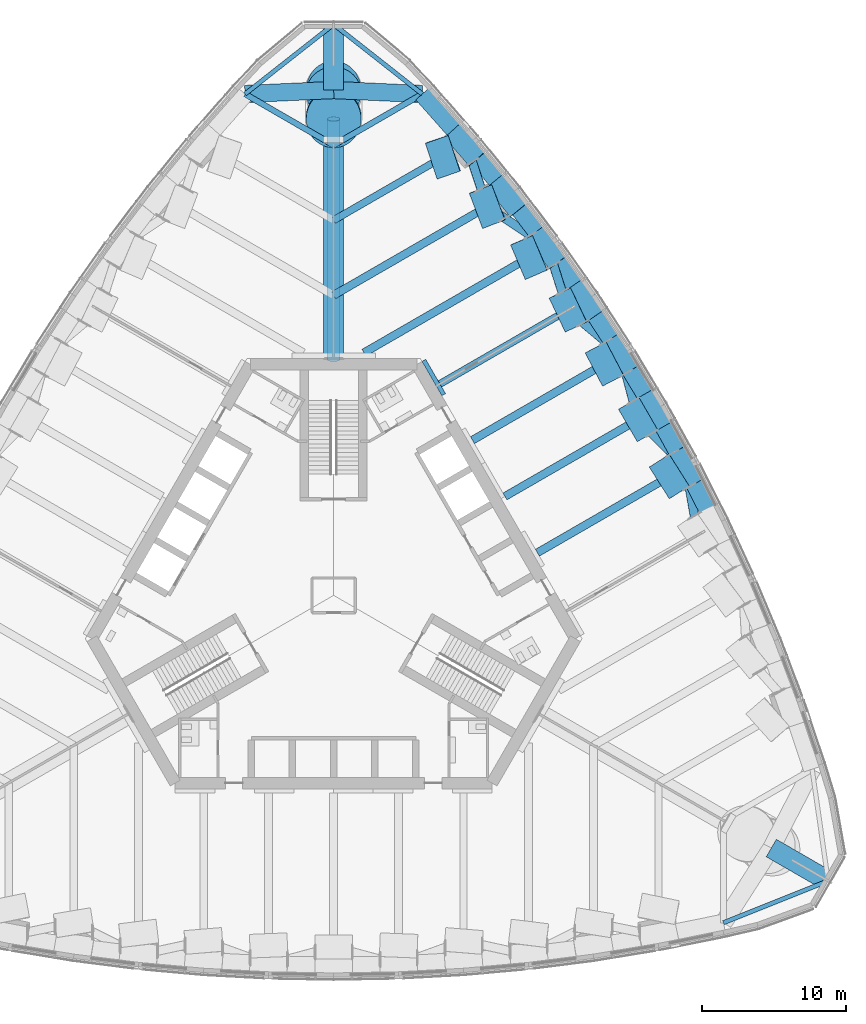
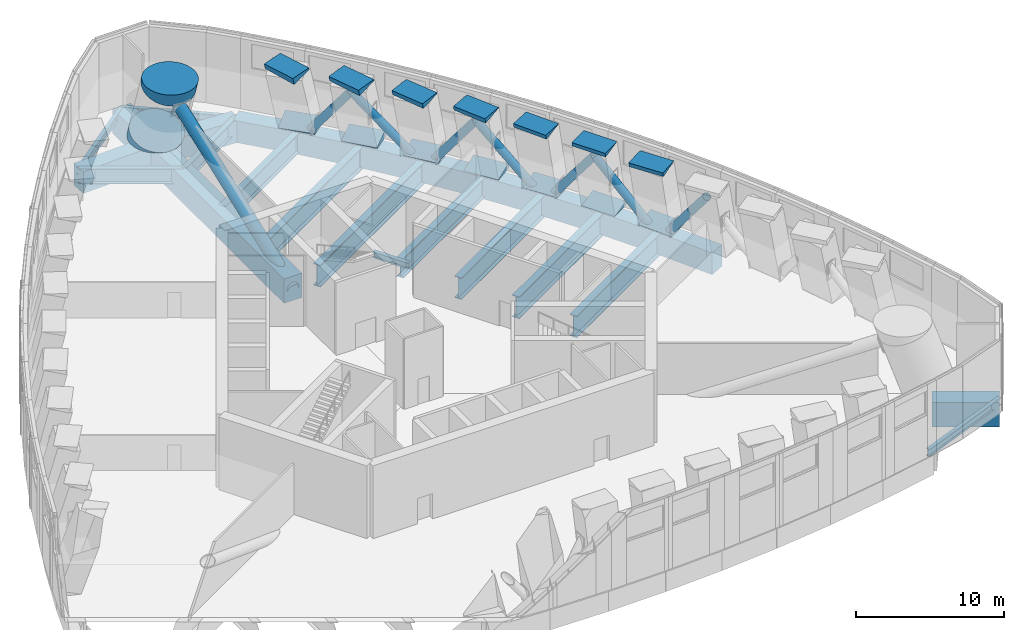
# One storey, part 5 of 25: 26 beams, 24 members.
"""IFC4 building model written with IfcOpenShell, lengths in metres."""

from ifc_helpers import new_model, si_unit, direction, frame, origin, origin_2d, place, context, subcontext, project, spatial, rectangle, circle, hollow_circle, i_section, extrude, clip, halfspace, material, material_profile, profile_set, type_object, element, save


model = new_model("IFC4")

# Units and contexts
model_context = context("Model", 3, precision=1e-05, world=origin(), true_north=direction((0.0, 1.0)))
body_context = subcontext(model_context, "Body", "Model", "MODEL_VIEW")
ifc_project = project(units=[si_unit("LENGTHUNIT", "METRE"), si_unit("AREAUNIT", "SQUARE_METRE"), si_unit("VOLUMEUNIT", "CUBIC_METRE"), si_unit("PLANEANGLEUNIT", "RADIAN"), si_unit("MASSUNIT", "GRAM", prefix="KILO")], contexts=[model_context])

# Site, building, storey
site_placement = place(None, origin())
site = spatial("IfcSite", under=ifc_project, at=site_placement, CompositionType="ELEMENT")
building_placement = place(site_placement, origin())
building = spatial("IfcBuilding", under=site, at=building_placement, Name="Trefoil Bronze Tower", CompositionType="ELEMENT")
storey_placement = place(building_placement, frame((0.0, 0.0, 178.699951171875)))
storey = spatial("IfcBuildingStorey", under=building, at=storey_placement, Name="L41", CompositionType="ELEMENT", Elevation=178.699951171875)

# Members
ifc_material_1 = material(Name="Steel C355", Category="steel")
ifc_material_profile_1 = material_profile(ifc_material_1, hollow_circle(Radius=0.304931640625, WallThickness=0.02490234375, at=origin_2d()), Name="CHS 610x25")
ifc_profile_set_1 = profile_set([ifc_material_profile_1], Name="Steel C355")
member_type_1 = type_object("IfcMemberType", Name="Belt truss diagonal CHS 610x25", PredefinedType="BRACE", material=ifc_profile_set_1)
member_1_placement = place(storey_placement, frame((24.392578125, 8.886962890625, -1.14990234375), z_axis=(0.10809467692, -0.611070347193, 0.784161062285), x_axis=(0.984712120824, 0.174189664167, 0.0)))
element("IfcMember", 1, at=member_1_placement, inside=storey, type_object=member_type_1, Name="Belt truss diagonal F2.4 L41", PredefinedType="BRACE", context=body_context, shape_type="SweptSolid", body=[
    extrude(hollow_circle(Radius=0.304931640625, WallThickness=0.02490234375, at=origin_2d()), origin(), (0.0, 0.0, 1.0), 7.71533203125),
])
for number, where, z_axis, x_axis, name in (
    (2, (24.392578125, 8.886962890625, -1.14990234375), (-0.432618987255, 0.430541239791, 0.792133229139), (-0.705402632544, -0.708806832642, 0.0), "Belt truss diagonal F2.5 L41"),
    (3, (19.892578125, 16.68115234375, -1.14990234375), (0.156563765296, -0.589943007821, 0.792120593672), (0.966541951923, 0.256508586938, 0.0), "Belt truss diagonal F2.6 L41"),
):
    element("IfcMember", number, at=place(storey_placement, frame(where, z_axis=z_axis, x_axis=x_axis)), inside=storey, type_object=member_type_1, Name=name, PredefinedType="BRACE", context=body_context, shape_type="SweptSolid", body=[
        extrude(hollow_circle(Radius=0.304931640625, WallThickness=0.02490234375, at=origin_2d()), origin(), (0.0, 0.0, 1.0), 7.6376953125),
    ])
member_2_placement = place(storey_placement, frame((19.892578125, 16.68115234375, -1.14990234375), z_axis=(-0.475158655992, 0.399150991388, 0.784157342444), x_axis=(-0.643208828373, -0.76569080124, 0.0)))
element("IfcMember", 4, at=member_2_placement, inside=storey, type_object=member_type_1, Name="Belt truss diagonal F2.7 L41", PredefinedType="BRACE", context=body_context, shape_type="SweptSolid", body=[
    extrude(hollow_circle(Radius=0.304931640625, WallThickness=0.02490234375, at=origin_2d()), origin(), (0.0, 0.0, 1.0), 7.71533203125),
])
member_3_placement = place(storey_placement, frame((14.825439453125, 24.14794921875, -1.14990234375), z_axis=(0.184272460888, -0.576995316633, 0.795688421897), x_axis=(0.952599408935, 0.3042274907, 0.0)))
element("IfcMember", 5, at=member_3_placement, inside=storey, type_object=member_type_1, Name="Belt truss diagonal F2.8 L41", PredefinedType="BRACE", context=body_context, shape_type="SweptSolid", body=[
    extrude(hollow_circle(Radius=0.304931640625, WallThickness=0.02490234375, at=origin_2d()), origin(), (0.0, 0.0, 1.0), 7.603515625),
])
member_4_placement = place(storey_placement, frame((14.825439453125, 24.14794921875, -1.14990234375), z_axis=(-0.533035435928, 0.352760468106, 0.769046992183), x_axis=(-0.551884776198, -0.833920376175, 0.0)))
element("IfcMember", 6, at=member_4_placement, inside=storey, type_object=member_type_1, Name="Belt truss diagonal F2.9 L41", PredefinedType="BRACE", context=body_context, shape_type="SweptSolid", body=[
    extrude(hollow_circle(Radius=0.304931640625, WallThickness=0.02490234375, at=origin_2d()), origin(), (0.0, 0.0, 1.0), 7.866943359375),
])
member_5_placement = place(storey_placement, frame((9.181884765625, 31.281982421875, -1.14990234375), z_axis=(0.190904348279, -0.573805763328, 0.796431086649), x_axis=(0.948863838651, 0.315685627959, 0.0)))
element("IfcMember", 7, at=member_5_placement, inside=storey, type_object=member_type_1, Name="Belt truss diagonal F2.10 L41", PredefinedType="BRACE", context=body_context, shape_type="SweptSolid", body=[
    extrude(hollow_circle(Radius=0.304931640625, WallThickness=0.02490234375, at=origin_2d()), origin(), (0.0, 0.0, 1.0), 7.596435546875),
])
ifc_material_2 = material(Name="Concrete B80", Category="concrete")
ifc_material_profile_2 = material_profile(ifc_material_2, rectangle(XDim=2.60009765625, YDim=1.60009765625, at=origin_2d()), Name="RC 2600x1600")
ifc_profile_set_2 = profile_set([ifc_material_profile_2], Name="Concrete B80")
member_type_2 = type_object("IfcMemberType", Name="Column node RC 2600x1600", PredefinedType="MEMBER", material=ifc_profile_set_2)
member_6_placement = place(storey_placement, frame((22.2451171875, 12.84326171875, -0.170166015625), z_axis=(-0.182873443531, -0.105800344725, 0.977427025771), x_axis=(-0.500774789596, 0.865577616454, 0.0)))
element("IfcMember", 8, at=member_6_placement, inside=storey, type_object=member_type_2, Name="Column node TC2616 L41 bottom", PredefinedType="MEMBER", context=body_context, shape_type="Clipping", body=[
    clip(extrude(rectangle(XDim=2.60009765625, YDim=1.60009765625, at=origin_2d()), origin(), (0.0, 0.0, 1.0), 0.348388671875), halfspace(frame((0.0, 0.0, 0.174072265625), z_axis=(-2.5873517638691127e-17, -0.21127330473329353, 0.9774270257707595), x_axis=(0.0, 0.9774270257707595, 0.21127330473329353)), True)),
])
member_7_placement = place(storey_placement, frame((21.056396484375, 12.156982421875, 6.17041015625), z_axis=(0.182873443531, 0.105800344725, -0.977427025771), x_axis=(0.500774789596, -0.865577616454, 0.0)))
element("IfcMember", 9, at=member_7_placement, inside=storey, type_object=member_type_2, Name="Column node TC2616 L41 top", PredefinedType="MEMBER", context=body_context, shape_type="Clipping", body=[
    clip(extrude(rectangle(XDim=2.60009765625, YDim=1.60009765625, at=origin_2d()), origin(), (0.0, 0.0, 1.0), 0.348388671875), halfspace(frame((0.0, 0.0, 0.17431640625), z_axis=(2.5873517638691127e-17, 0.21127330473329356, 0.9774270257707595), x_axis=(0.0, 0.9774270257707595, -0.21127330473329356)), True)),
])
member_8_placement = place(storey_placement, frame((19.927734375, 16.701416015625, -0.18408203125), z_axis=(-0.186503933671, -0.107498795102, 0.976555319363), x_axis=(-0.532854629206, 0.846162891062, -0.008620088392)))
element("IfcMember", 10, at=member_8_placement, inside=storey, type_object=member_type_2, Name="Column node TC2616 L41 bottom", PredefinedType="MEMBER", context=body_context, shape_type="Clipping", body=[
    clip(extrude(rectangle(XDim=2.60009765625, YDim=1.60009765625, at=origin_2d()), origin(), (0.0, 0.0, 1.0), 0.376953125), halfspace(frame((0.0, 0.0, 0.1884765625), z_axis=(-0.008620088391881024, -0.21509393831418464, 0.9765553193632248), x_axis=(0.0, 0.9765916033079357, 0.2151019301364713)), True)),
])
member_9_placement = place(storey_placement, frame((18.712890625, 16.0, 6.18408203125), z_axis=(0.186503933671, 0.107498795102, -0.976555319363), x_axis=(0.465094649677, -0.885218990373, -0.008620088392)))
element("IfcMember", 11, at=member_9_placement, inside=storey, type_object=member_type_2, Name="Column node TC2616 L41 top", PredefinedType="MEMBER", context=body_context, shape_type="Clipping", body=[
    clip(extrude(rectangle(XDim=2.60009765625, YDim=1.60009765625, at=origin_2d()), origin(), (0.0, 0.0, 1.0), 0.376953125), halfspace(frame((0.0, 0.0, 0.1884765625), z_axis=(0.008620088391881024, 0.21509393831418464, 0.9765553193632248), x_axis=(0.0, 0.9765916033079357, -0.2151019301364713)), True)),
])
member_10_placement = place(storey_placement, frame((17.47119140625, 20.479248046875, -0.204345703125), z_axis=(-0.195533724611, -0.112897448138, 0.974176949401), x_axis=(-0.565833684937, 0.824321988886, -0.0180416083)))
element("IfcMember", 12, at=member_10_placement, inside=storey, type_object=member_type_2, Name="Column node TC2616 L41 bottom", PredefinedType="MEMBER", context=body_context, shape_type="Clipping", body=[
    clip(extrude(rectangle(XDim=2.60009765625, YDim=1.60009765625, at=origin_2d()), origin(), (0.0, 0.0, 1.0), 0.41943359375), halfspace(frame((0.0, 0.0, 0.209716796875), z_axis=(-0.018041608300351265, -0.22506392786564816, 0.9741769494006841), x_axis=(0.0, 0.9743355352347802, 0.22510056592277677)), True)),
])
member_11_placement = place(storey_placement, frame((16.185546875, 19.737060546875, 6.204345703125), z_axis=(0.195533724611, 0.112897448138, -0.974176949401), x_axis=(0.431008462777, -0.902167504061, -0.0180416083)))
element("IfcMember", 13, at=member_11_placement, inside=storey, type_object=member_type_2, Name="Column node TC2616 L41 top", PredefinedType="MEMBER", context=body_context, shape_type="Clipping", body=[
    clip(extrude(rectangle(XDim=2.60009765625, YDim=1.60009765625, at=origin_2d()), origin(), (0.0, 0.0, 1.0), 0.41943359375), halfspace(frame((0.0, 0.0, 0.209716796875), z_axis=(0.018041608300351265, 0.22506392786564816, 0.9741769494006841), x_axis=(0.0, 0.9743355352347802, -0.22510056592277677)), True)),
])
member_12_placement = place(storey_placement, frame((14.875732421875, 24.177001953125, -0.23193359375), z_axis=(-0.210834703777, -0.121497964888, 0.969941736503), x_axis=(-0.596051663687, 0.802420441261, -0.02904909057)))
element("IfcMember", 14, at=member_12_placement, inside=storey, type_object=member_type_2, Name="Column node TC2616 L41 bottom", PredefinedType="MEMBER", context=body_context, shape_type="Clipping", body=[
    clip(extrude(rectangle(XDim=2.60009765625, YDim=1.60009765625, at=origin_2d()), origin(), (0.0, 0.0, 1.0), 0.478271484375), halfspace(frame((0.0, 0.0, 0.2392578125), z_axis=(-0.029049090569892723, -0.2415971401439186, 0.9699417365034572), x_axis=(0.0, 0.9703512381937962, 0.2416991405358459)), True)),
])
member_13_placement = place(storey_placement, frame((13.471923828125, 23.366455078125, 6.23193359375), z_axis=(0.210346821603, 0.121511028013, -0.970046021956), x_axis=(0.396356890633, -0.917638408501, -0.028999422254)))
element("IfcMember", 15, at=member_13_placement, inside=storey, type_object=member_type_2, Name="Column node TC2616 L41 top", PredefinedType="MEMBER", context=body_context, shape_type="Clipping", body=[
    clip(extrude(rectangle(XDim=2.60009765625, YDim=1.60009765625, at=origin_2d()), origin(), (0.0, 0.0, 1.0), 0.478271484375), halfspace(frame((0.0, 0.0, 0.239013671875), z_axis=(0.028999422254053667, 0.24118405585015695, 0.9700460219559686), x_axis=(0.0, 0.9704541675011918, -0.24128553371383155)), True)),
])
member_14_placement = place(storey_placement, frame((12.14111328125, 27.794189453125, -0.267578125), z_axis=(-0.232064418191, -0.134052362781, 0.963418948248), x_axis=(-0.625873295715, 0.778771501429, -0.04239771542)))
element("IfcMember", 16, at=member_14_placement, inside=storey, type_object=member_type_2, Name="Column node TC2616 L41 bottom", PredefinedType="MEMBER", context=body_context, shape_type="Clipping", body=[
    clip(extrude(rectangle(XDim=2.60009765625, YDim=1.60009765625, at=origin_2d()), origin(), (0.0, 0.0, 1.0), 0.555419921875), halfspace(frame((0.0, 0.0, 0.27783203125), z_axis=(-0.042397715420347565, -0.26462494947490023, 0.9634189482476155), x_axis=(0.0, 0.964286022093912, 0.2648631110485174)), True)),
])
member_15_placement = place(storey_placement, frame((10.567626953125, 26.8857421875, 6.267578125), z_axis=(0.2316485083, 0.134066024728, -0.963517135092), x_axis=(0.362671471183, -0.930954656734, -0.042341836218)))
element("IfcMember", 17, at=member_15_placement, inside=storey, type_object=member_type_2, Name="Column node TC2616 L41 top", PredefinedType="MEMBER", context=body_context, shape_type="Clipping", body=[
    clip(extrude(rectangle(XDim=2.60009765625, YDim=1.60009765625, at=origin_2d()), origin(), (0.0, 0.0, 1.0), 0.555419921875), halfspace(frame((0.0, 0.0, 0.277587890625), z_axis=(0.04234183621830575, 0.26427617995110836, 0.9635171350921122), x_axis=(0.0, 0.9643820099367588, -0.2645134002472032)), True)),
])
member_16_placement = place(storey_placement, frame((9.266357421875, 31.330810546875, -0.3115234375), z_axis=(-0.259099296461, -0.149926144128, 0.954143440936), x_axis=(-0.652079481765, 0.755905987834, -0.058296543786)))
element("IfcMember", 18, at=member_16_placement, inside=storey, type_object=member_type_2, Name="Column node TC2616 L41 bottom", PredefinedType="MEMBER", context=body_context, shape_type="Clipping", body=[
    clip(extrude(rectangle(XDim=2.60009765625, YDim=1.60009765625, at=origin_2d()), origin(), (0.0, 0.0, 1.0), 0.653076171875), halfspace(frame((0.0, 0.0, 0.326416015625), z_axis=(-0.05829654378581573, -0.29361847200462576, 0.9541434409355322), x_axis=(0.0, 0.9557689072538845, 0.29411867660302626)), True)),
])
member_17_placement = place(storey_placement, frame((7.46728515625, 30.2919921875, 6.3115234375), z_axis=(0.259113803248, 0.149560636795, -0.954196862753), x_axis=(0.329392938115, -0.942393586386, -0.058263373213)))
element("IfcMember", 19, at=member_17_placement, inside=storey, type_object=member_type_2, Name="Column node TC2616 L41 top", PredefinedType="MEMBER", context=body_context, shape_type="Clipping", body=[
    clip(extrude(rectangle(XDim=2.60009765625, YDim=1.60009765625, at=origin_2d()), origin(), (0.0, 0.0, 1.0), 0.653076171875), halfspace(frame((0.0, 0.0, 0.326416015625), z_axis=(0.058263373213412226, 0.29345140390500707, 0.9541968627531612), x_axis=(0.0, 0.9558205660081742, -0.2939507536915217)), True)),
])
member_18_placement = place(storey_placement, frame((24.427734375, 8.9072265625, -0.18408203125), z_axis=(-0.186503933671, -0.107498795102, 0.976555319363), x_axis=(-0.465094649677, 0.885218990373, 0.008620088392)))
element("IfcMember", 20, at=member_18_placement, inside=storey, type_object=member_type_2, Name="Column node TC2616 L41 bottom", PredefinedType="MEMBER", context=body_context, shape_type="Clipping", body=[
    clip(extrude(rectangle(XDim=2.60009765625, YDim=1.60009765625, at=origin_2d()), origin(), (0.0, 0.0, 1.0), 0.376953125), halfspace(frame((0.0, 0.0, 0.1884765625), z_axis=(0.008620088391881024, -0.21509393831418464, 0.9765553193632248), x_axis=(0.0, 0.9765916033079357, 0.2151019301364713)), True)),
])
member_19_placement = place(storey_placement, frame((23.212890625, 8.205810546875, 6.18408203125), z_axis=(0.186503933671, 0.107498795102, -0.976555319363), x_axis=(0.532854629206, -0.846162891062, 0.008620088392)))
element("IfcMember", 21, at=member_19_placement, inside=storey, type_object=member_type_2, Name="Column node TC2616 L41 top", PredefinedType="MEMBER", context=body_context, shape_type="Clipping", body=[
    clip(extrude(rectangle(XDim=2.60009765625, YDim=1.60009765625, at=origin_2d()), origin(), (0.0, 0.0, 1.0), 0.376953125), halfspace(frame((0.0, 0.0, 0.1884765625), z_axis=(-0.008620088391881024, 0.21509393831418464, 0.9765553193632248), x_axis=(0.0, 0.9765916033079357, -0.2151019301364713)), True)),
])
ifc_material_3 = material(Name="Concrete B80", Category="concrete")
ifc_material_profile_3 = material_profile(ifc_material_3, circle(Radius=1.89990234375, at=origin_2d()), Name="RC D3800")
ifc_profile_set_3 = profile_set([ifc_material_profile_3], Name="Concrete B80")
member_type_3 = type_object("IfcMemberType", Name="Column node RC D3800", PredefinedType="MEMBER", material=ifc_profile_set_3)
member_20_placement = place(storey_placement, frame((0.0, 35.20068359375, -0.601806640625), z_axis=(0.0, -0.316343217404, 0.948644806449), x_axis=(1.0, 0.0, 0.0)))
element("IfcMember", 22, at=member_20_placement, inside=storey, type_object=member_type_3, Name="Column node MC38 L41 bottom", PredefinedType="MEMBER", context=body_context, shape_type="Clipping", body=[
    clip(extrude(circle(Radius=1.89990234375, at=origin_2d()), origin(), (0.0, 0.0, 1.0), 1.268798828125), halfspace(frame((0.0, 0.0, 0.634521484375), z_axis=(0.0, 0.3163432174040519, 0.9486448064488905), x_axis=(0.0, 0.9486448064488905, -0.3163432174040519)), True)),
])
member_21_placement = place(storey_placement, frame((0.0, 32.79931640625, 6.601806640625), z_axis=(0.0, 0.316343217404, -0.948644806449), x_axis=(-1.0, 0.0, 0.0)))
element("IfcMember", 23, at=member_21_placement, inside=storey, type_object=member_type_3, Name="Column node MC38 L41 top", PredefinedType="MEMBER", context=body_context, shape_type="Clipping", body=[
    clip(extrude(circle(Radius=1.89990234375, at=origin_2d()), origin(), (0.0, 0.0, 1.0), 1.268798828125), halfspace(frame((0.0, 0.0, 0.63427734375), z_axis=(0.0, -0.3163432174040519, 0.9486448064488905), x_axis=(0.0, 0.9486448064488905, 0.3163432174040519)), True)),
])

# Beams
ifc_material_4 = material(Name="Steel C355", Category="steel")
ifc_material_profile_4 = material_profile(ifc_material_4, i_section(OverallWidth=0.300048828125, OverallDepth=0.5, WebThickness=0.014404296875, FlangeThickness=0.028076171875, FilletRadius=0.027099609375, at=origin_2d()), Name="HEB 500")
ifc_profile_set_4 = profile_set([ifc_material_profile_4], Name="Steel C355")
beam_type_1 = type_object("IfcBeamType", Name="Core seat beam HEB 500", PredefinedType="BEAM", material=ifc_profile_set_4)
beam_1_placement = place(storey_placement, frame((7.62109375, 13.89990234375, -0.5), z_axis=(-0.500035825175, 0.866004719122, 0.0), x_axis=(-0.866004719122, -0.500035825175, 0.0)))
element("IfcBeam", 24, at=beam_1_placement, inside=storey, type_object=beam_type_1, Name="Core seat beam F2/+2 L41", PredefinedType="BEAM", context=body_context, shape_type="SweptSolid", body=[
    extrude(i_section(OverallWidth=0.300048828125, OverallDepth=0.5, WebThickness=0.014404296875, FlangeThickness=0.028076171875, FilletRadius=0.027099609375, at=origin_2d()), origin(), (0.0, 0.0, 1.0), 2.742431640625),
])
ifc_material_5 = material(Name="Concrete B80", Category="concrete")
ifc_material_profile_5 = material_profile(ifc_material_5, rectangle(XDim=1.39990234375, YDim=2.0, at=origin_2d()), Name="RC 1400x2000")
ifc_profile_set_5 = profile_set([ifc_material_profile_5], Name="Concrete B80")
beam_type_2 = type_object("IfcBeamType", Name="Corner cantilever RC 1400x2000", PredefinedType="BEAM", material=ifc_profile_set_5)
for number, where, z_axis, x_axis, name in (
    (25, (30.310791015625, -17.5, -1.25), (0.866031878637, -0.499988785058, 0.0), (0.499988785058, 0.866031878637, 0.0), "Corner cantilever K1 L41"),
    (26, (0.0, 35.0, -1.25), (0.0, 1.0, 0.0), (-1.0, 0.0, 0.0), "Corner cantilever K2 L41"),
):
    element("IfcBeam", number, at=place(storey_placement, frame(where, z_axis=z_axis, x_axis=x_axis)), inside=storey, type_object=beam_type_2, Name=name, PredefinedType="BEAM", context=body_context, shape_type="SweptSolid", body=[
        extrude(rectangle(XDim=1.39990234375, YDim=2.0, at=origin_2d()), origin(), (0.0, 0.0, 1.0), 4.54931640625),
    ])
ifc_material_6 = material(Name="Steel C355", Category="steel")
ifc_material_profile_6 = material_profile(ifc_material_6, i_section(OverallWidth=0.300048828125, OverallDepth=0.60009765625, WebThickness=0.015380859375, FlangeThickness=0.030029296875, FilletRadius=0.027099609375, at=origin_2d()), Name="HEB 600")
ifc_profile_set_6 = profile_set([ifc_material_profile_6], Name="Steel C355")
beam_type_3 = type_object("IfcBeamType", Name="Corner edge beam HEB 600", PredefinedType="BEAM", material=ifc_profile_set_6)
beam_2_placement = place(storey_placement, frame((27.0, -22.67724609375, -0.550048828125), z_axis=(0.928375332495, 0.371643972122, 0.0), x_axis=(-0.371643972122, 0.928375332495, 0.0)))
element("IfcBeam", 27, at=beam_2_placement, inside=storey, type_object=beam_type_3, Name="Corner edge beam F1A L41", PredefinedType="BEAM", context=body_context, shape_type="SweptSolid", body=[
    extrude(i_section(OverallWidth=0.300048828125, OverallDepth=0.60009765625, WebThickness=0.015380859375, FlangeThickness=0.030029296875, FilletRadius=0.027099609375, at=origin_2d()), origin(), (0.0, 0.0, 1.0), 7.81005859375),
])
for number, where, z_axis, x_axis, name in (
    (28, (6.13916015625, 34.72119140625, -0.550048828125), (-0.786038406433, 0.61817766347, 0.0), (-0.61817766347, -0.786038406433, 0.0), "Corner edge beam F2A L41"),
    (29, (-6.13916015625, 34.72119140625, -0.550048828125), (0.786038406433, 0.61817766347, 0.0), (-0.61817766347, 0.786038406433, 0.0), "Corner edge beam F3B L41"),
):
    element("IfcBeam", number, at=place(storey_placement, frame(where, z_axis=z_axis, x_axis=x_axis)), inside=storey, type_object=beam_type_3, Name=name, PredefinedType="BEAM", context=body_context, shape_type="SweptSolid", body=[
        extrude(i_section(OverallWidth=0.300048828125, OverallDepth=0.60009765625, WebThickness=0.015380859375, FlangeThickness=0.030029296875, FilletRadius=0.027099609375, at=origin_2d()), origin(), (0.0, 0.0, 1.0), 7.810302734375),
    ])
ifc_material_7 = material(Name="Concrete B80", Category="concrete")
ifc_material_profile_7 = material_profile(ifc_material_7, rectangle(XDim=1.39990234375, YDim=2.0, at=origin_2d()), Name="RC 1400x2000")
ifc_profile_set_7 = profile_set([ifc_material_profile_7], Name="Concrete B80")
beam_type_4 = type_object("IfcBeamType", Name="Corner girder RC 1400x2000", PredefinedType="BEAM", material=ifc_profile_set_7)
beam_3_placement = place(storey_placement, frame((0.0, 16.39990234375, -1.25), z_axis=(0.0, 1.0, 0.0), x_axis=(-1.0, 0.0, 0.0)))
element("IfcBeam", 30, at=beam_3_placement, inside=storey, type_object=beam_type_4, Name="Corner girder K2 L41", PredefinedType="BEAM", context=body_context, shape_type="SweptSolid", body=[
    extrude(rectangle(XDim=1.39990234375, YDim=2.0, at=origin_2d()), origin(), (0.0, 0.0, 1.0), 18.60009765625),
])
ifc_material_8 = material(Name="Concrete B80", Category="concrete")
ifc_material_profile_8 = material_profile(ifc_material_8, rectangle(XDim=1.199951171875, YDim=1.800048828125, at=origin_2d()), Name="RC 1200x1800")
ifc_profile_set_8 = profile_set([ifc_material_profile_8], Name="Concrete B80")
beam_type_5 = type_object("IfcBeamType", Name="End spandrel beam RC 1200x1800", PredefinedType="SPANDREL", material=ifc_profile_set_8)
for number, where, z_axis, x_axis, name in (
    (31, (6.13916015625, 34.72119140625, -1.14990234375), (-0.998970341464, 0.045368015985, 0.0), (-0.045368015985, -0.998970341464, 0.0), "Spandrel F2.14 L41"),
    (32, (0.0, 35.0, -1.14990234375), (-0.998970341464, -0.045368015985, 0.0), (0.045368015985, -0.998970341464, 0.0), "Spandrel F3.1 L41"),
):
    element("IfcBeam", number, at=place(storey_placement, frame(where, z_axis=z_axis, x_axis=x_axis)), inside=storey, type_object=beam_type_5, Name=name, PredefinedType="SPANDREL", context=body_context, shape_type="SweptSolid", body=[
        extrude(rectangle(XDim=1.199951171875, YDim=1.800048828125, at=origin_2d()), origin(), (0.0, 0.0, 1.0), 6.1455078125),
    ])
ifc_material_9 = material(Name="Steel C355", Category="steel")
ifc_material_profile_9 = material_profile(ifc_material_9, i_section(OverallWidth=0.39990234375, OverallDepth=1.199951171875, WebThickness=0.02001953125, FlangeThickness=0.0400390625, FilletRadius=0.010009765625, at=origin_2d()), Name="WPG 1200")
ifc_profile_set_9 = profile_set([ifc_material_profile_9], Name="Steel C355")
beam_type_6 = type_object("IfcBeamType", Name="Floor beam WPG 1200", PredefinedType="BEAM", material=ifc_profile_set_9)
for number, where, z_axis, x_axis, name in (
    (33, (6.13916015625, 34.72119140625, -0.849853515625), (-0.866041060244, -0.499972881236, 0.0), (0.499972881236, -0.866041060244, 0.0), "Floor beam F2/+6 L41"),
    (34, (-6.13916015625, 34.72119140625, -0.849853515625), (0.866041060244, -0.499972881236, 0.0), (0.499972881236, 0.866041060244, 0.0), "Floor beam F3/-6 L41"),
):
    element("IfcBeam", number, at=place(storey_placement, frame(where, z_axis=z_axis, x_axis=x_axis)), inside=storey, type_object=beam_type_6, Name=name, PredefinedType="BEAM", context=body_context, shape_type="SweptSolid", body=[
        extrude(i_section(OverallWidth=0.39990234375, OverallDepth=1.199951171875, WebThickness=0.02001953125, FlangeThickness=0.0400390625, FilletRadius=0.010009765625, at=origin_2d()), origin(), (0.0, 0.0, 1.0), 7.0888671875),
    ])
ifc_material_10 = material(Name="Steel C355", Category="steel")
ifc_material_profile_10 = material_profile(ifc_material_10, i_section(OverallWidth=0.5, OverallDepth=1.60009765625, WebThickness=0.02587890625, FlangeThickness=0.050048828125, FilletRadius=0.011962890625, at=origin_2d()), Name="WPG 1600")
ifc_profile_set_10 = profile_set([ifc_material_profile_10], Name="Steel C355")
beam_type_7 = type_object("IfcBeamType", Name="Floor beam WPG 1600", PredefinedType="BEAM", material=ifc_profile_set_10)
beam_4_placement = place(storey_placement, frame((17.43017578125, 20.45556640625, -1.050048828125), z_axis=(-0.866030626868, -0.499990953245, 0.0), x_axis=(0.499990953245, -0.866030626868, 0.0)))
element("IfcBeam", 35, at=beam_4_placement, inside=storey, type_object=beam_type_7, Name="Floor beam F2/+2 L41", PredefinedType="BEAM", context=body_context, shape_type="SweptSolid", body=[
    extrude(i_section(OverallWidth=0.5, OverallDepth=1.60009765625, WebThickness=0.02587890625, FlangeThickness=0.050048828125, FilletRadius=0.011962890625, at=origin_2d()), origin(), (0.0, 0.0, 1.0), 11.622802734375),
])
beam_5_placement = place(storey_placement, frame((9.181884765625, 31.281982421875, -1.050048828125), z_axis=(-0.866021079084, -0.500007490527, 0.0), x_axis=(0.500007490527, -0.866021079084, 0.0)))
element("IfcBeam", 36, at=beam_5_placement, inside=storey, type_object=beam_type_7, Name="Floor beam F2/+5 L41", PredefinedType="BEAM", context=body_context, shape_type="SweptSolid", body=[
    extrude(i_section(OverallWidth=0.5, OverallDepth=1.60009765625, WebThickness=0.02587890625, FlangeThickness=0.050048828125, FilletRadius=0.011962890625, at=origin_2d()), origin(), (0.0, 0.0, 1.0), 10.602294921875),
])
ifc_material_11 = material(Name="Steel C355", Category="steel")
ifc_material_profile_11 = material_profile(ifc_material_11, i_section(OverallWidth=0.550048828125, OverallDepth=1.800048828125, WebThickness=0.029052734375, FlangeThickness=0.054931640625, FilletRadius=0.013916015625, at=origin_2d()), Name="WPG 1800")
ifc_profile_set_11 = profile_set([ifc_material_profile_11], Name="Steel C355")
beam_type_8 = type_object("IfcBeamType", Name="Floor beam WPG 1800", PredefinedType="BEAM", material=ifc_profile_set_11)
beam_6_placement = place(storey_placement, frame((24.392578125, 8.886962890625, -1.14990234375), z_axis=(-0.866024236736, -0.500002021381, 0.0), x_axis=(0.500002021381, -0.866024236736, 0.0)))
element("IfcBeam", 37, at=beam_6_placement, inside=storey, type_object=beam_type_8, Name="Floor beam F2/-1 L41", PredefinedType="BEAM", context=body_context, shape_type="SweptSolid", body=[
    extrude(i_section(OverallWidth=0.550048828125, OverallDepth=1.800048828125, WebThickness=0.029052734375, FlangeThickness=0.054931640625, FilletRadius=0.013916015625, at=origin_2d()), origin(), (0.0, 0.0, 1.0), 11.8681640625),
])
beam_7_placement = place(storey_placement, frame((22.21337890625, 12.824951171875, -1.14990234375), z_axis=(-0.866028062731, -0.499995394541, 0.0), x_axis=(0.499995394541, -0.866028062731, 0.0)))
element("IfcBeam", 38, at=beam_7_placement, inside=storey, type_object=beam_type_8, Name="Floor beam F2/+0 L41", PredefinedType="BEAM", context=body_context, shape_type="SweptSolid", body=[
    extrude(i_section(OverallWidth=0.550048828125, OverallDepth=1.800048828125, WebThickness=0.029052734375, FlangeThickness=0.054931640625, FilletRadius=0.013916015625, at=origin_2d()), origin(), (0.0, 0.0, 1.0), 11.94970703125),
])
beam_8_placement = place(storey_placement, frame((19.892578125, 16.68115234375, -1.14990234375), z_axis=(-0.866024236736, -0.500002021381, 0.0), x_axis=(0.500002021381, -0.866024236736, 0.0)))
element("IfcBeam", 39, at=beam_8_placement, inside=storey, type_object=beam_type_8, Name="Floor beam F2/+1 L41", PredefinedType="BEAM", context=body_context, shape_type="SweptSolid", body=[
    extrude(i_section(OverallWidth=0.550048828125, OverallDepth=1.800048828125, WebThickness=0.029052734375, FlangeThickness=0.054931640625, FilletRadius=0.013916015625, at=origin_2d()), origin(), (0.0, 0.0, 1.0), 11.8681640625),
])
beam_9_placement = place(storey_placement, frame((14.825439453125, 24.14794921875, -1.14990234375), z_axis=(-0.866027342682, -0.499996641717, 0.0), x_axis=(0.499996641717, -0.866027342682, 0.0)))
element("IfcBeam", 40, at=beam_9_placement, inside=storey, type_object=beam_type_8, Name="Floor beam F2/+3 L41", PredefinedType="BEAM", context=body_context, shape_type="SweptSolid", body=[
    extrude(i_section(OverallWidth=0.550048828125, OverallDepth=1.800048828125, WebThickness=0.029052734375, FlangeThickness=0.054931640625, FilletRadius=0.013916015625, at=origin_2d()), origin(), (0.0, 0.0, 1.0), 14.69580078125),
])
beam_10_placement = place(storey_placement, frame((12.07666015625, 27.757080078125, -1.14990234375), z_axis=(-0.866026983775, -0.499997263366, 0.0), x_axis=(0.499997263366, -0.866026983775, 0.0)))
element("IfcBeam", 41, at=beam_10_placement, inside=storey, type_object=beam_type_8, Name="Floor beam F2/+4 L41", PredefinedType="BEAM", context=body_context, shape_type="SweptSolid", body=[
    extrude(i_section(OverallWidth=0.550048828125, OverallDepth=1.800048828125, WebThickness=0.029052734375, FlangeThickness=0.054931640625, FilletRadius=0.013916015625, at=origin_2d()), origin(), (0.0, 0.0, 1.0), 13.94482421875),
])

# Member
ifc_material_12 = material(Name="Steel C355", Category="steel")
ifc_material_profile_12 = material_profile(ifc_material_12, hollow_circle(Radius=0.45703125, WallThickness=0.031982421875, at=origin_2d()), Name="CHS 914x32")
ifc_profile_set_12 = profile_set([ifc_material_profile_12], Name="Steel C355")
member_type_4 = type_object("IfcMemberType", Name="Outrigger brace CHS 914x32", PredefinedType="BRACE", material=ifc_profile_set_12)
member_22_placement = place(storey_placement, frame((0.0, 16.35009765625, -1.25), z_axis=(0.0, 0.936212909564, 0.3514333336), x_axis=(-1.0, 0.0, 0.0)))
element("IfcMember", 42, at=member_22_placement, inside=storey, type_object=member_type_4, Name="Outrigger brace K2 L41", PredefinedType="BRACE", context=body_context, shape_type="SweptSolid", body=[
    extrude(hollow_circle(Radius=0.45703125, WallThickness=0.031982421875, at=origin_2d()), origin(), (0.0, 0.0, 1.0), 17.784423828125),
])

# Beams
ifc_material_13 = material(Name="Concrete B80", Category="concrete")
ifc_material_profile_13 = material_profile(ifc_material_13, rectangle(XDim=1.199951171875, YDim=1.800048828125, at=origin_2d()), Name="RC 1200x1800")
ifc_profile_set_13 = profile_set([ifc_material_profile_13], Name="Concrete B80")
beam_type_9 = type_object("IfcBeamType", Name="Spandrel beam RC 1200x1800", PredefinedType="SPANDREL", material=ifc_profile_set_13)
beam_11_placement = place(storey_placement, frame((26.43017578125, 4.8671875, -1.14990234375), z_axis=(-0.452125717735, 0.891954222683, 0.0), x_axis=(-0.891954222683, -0.452125717735, 0.0)))
element("IfcBeam", 43, at=beam_11_placement, inside=storey, type_object=beam_type_9, Name="Spandrel F2.6 L41", PredefinedType="SPANDREL", context=body_context, shape_type="SweptSolid", body=[
    extrude(rectangle(XDim=1.199951171875, YDim=1.800048828125, at=origin_2d()), origin(), (0.0, 0.0, 1.0), 4.506591796875),
])
for number, where, z_axis, x_axis, name in (
    (44, (24.392578125, 8.886962890625, -1.14990234375), (-0.484186866546, 0.874964615436, 0.0), (-0.874964615436, -0.484186866546, 0.0), "Spandrel F2.7 L41"),
    (45, (22.21337890625, 12.824951171875, -1.14990234375), (-0.515651979972, 0.856798129988, 0.0), (-0.856798129988, -0.515651979972, 0.0), "Spandrel F2.8 L41"),
):
    element("IfcBeam", number, at=place(storey_placement, frame(where, z_axis=z_axis, x_axis=x_axis)), inside=storey, type_object=beam_type_9, Name=name, PredefinedType="SPANDREL", context=body_context, shape_type="SweptSolid", body=[
        extrude(rectangle(XDim=1.199951171875, YDim=1.800048828125, at=origin_2d()), origin(), (0.0, 0.0, 1.0), 4.500732421875),
    ])
beam_12_placement = place(storey_placement, frame((19.892578125, 16.68115234375, -1.14990234375), z_axis=(-0.546396670296, 0.83752652417, 0.0), x_axis=(-0.83752652417, -0.546396670296, 0.0)))
element("IfcBeam", 46, at=beam_12_placement, inside=storey, type_object=beam_type_9, Name="Spandrel F2.9 L41", PredefinedType="SPANDREL", context=body_context, shape_type="SweptSolid", body=[
    extrude(rectangle(XDim=1.199951171875, YDim=1.800048828125, at=origin_2d()), origin(), (0.0, 0.0, 1.0), 4.506591796875),
])
beam_13_placement = place(storey_placement, frame((17.43017578125, 20.45556640625, -1.14990234375), z_axis=(-0.576439228712, 0.81714002203, 0.0), x_axis=(-0.81714002203, -0.576439228712, 0.0)))
element("IfcBeam", 47, at=beam_13_placement, inside=storey, type_object=beam_type_9, Name="Spandrel F2.10 L41", PredefinedType="SPANDREL", context=body_context, shape_type="SweptSolid", body=[
    extrude(rectangle(XDim=1.199951171875, YDim=1.800048828125, at=origin_2d()), origin(), (0.0, 0.0, 1.0), 4.5185546875),
])
beam_14_placement = place(storey_placement, frame((14.825439453125, 24.14794921875, -1.14990234375), z_axis=(-0.605898901788, 0.795541652468, 0.0), x_axis=(-0.795541652468, -0.605898901788, 0.0)))
element("IfcBeam", 48, at=beam_14_placement, inside=storey, type_object=beam_type_9, Name="Spandrel F2.11 L41", PredefinedType="SPANDREL", context=body_context, shape_type="SweptSolid", body=[
    extrude(rectangle(XDim=1.199951171875, YDim=1.800048828125, at=origin_2d()), origin(), (0.0, 0.0, 1.0), 4.53662109375),
])
beam_15_placement = place(storey_placement, frame((12.07666015625, 27.757080078125, -1.14990234375), z_axis=(-0.634650386838, 0.772799383079, 0.0), x_axis=(-0.772799383079, -0.634650386838, 0.0)))
element("IfcBeam", 49, at=beam_15_placement, inside=storey, type_object=beam_type_9, Name="Spandrel F2.12 L41", PredefinedType="SPANDREL", context=body_context, shape_type="SweptSolid", body=[
    extrude(rectangle(XDim=1.199951171875, YDim=1.800048828125, at=origin_2d()), origin(), (0.0, 0.0, 1.0), 4.561279296875),
])
beam_16_placement = place(storey_placement, frame((9.181884765625, 31.281982421875, -1.14990234375), z_axis=(-0.662616326239, 0.748959013699, 0.0), x_axis=(-0.748959013699, -0.662616326239, 0.0)))
element("IfcBeam", 50, at=beam_16_placement, inside=storey, type_object=beam_type_9, Name="Spandrel F2.13 L41", PredefinedType="SPANDREL", context=body_context, shape_type="SweptSolid", body=[
    extrude(rectangle(XDim=1.199951171875, YDim=1.800048828125, at=origin_2d()), origin(), (0.0, 0.0, 1.0), 4.592041015625),
])

save(model, "model.ifc")
